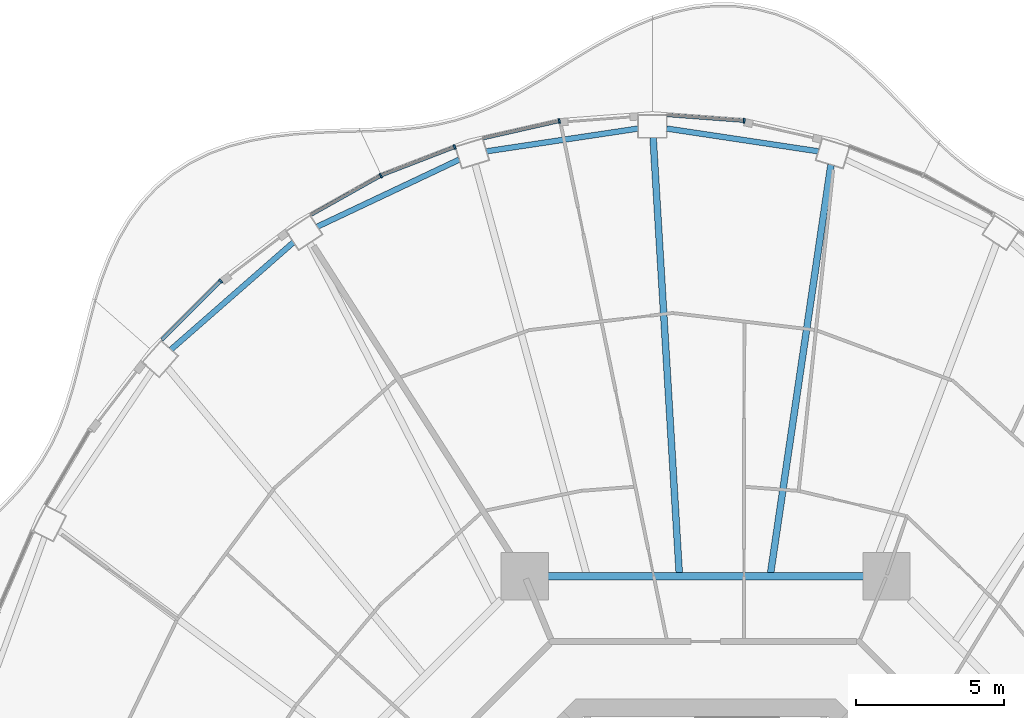
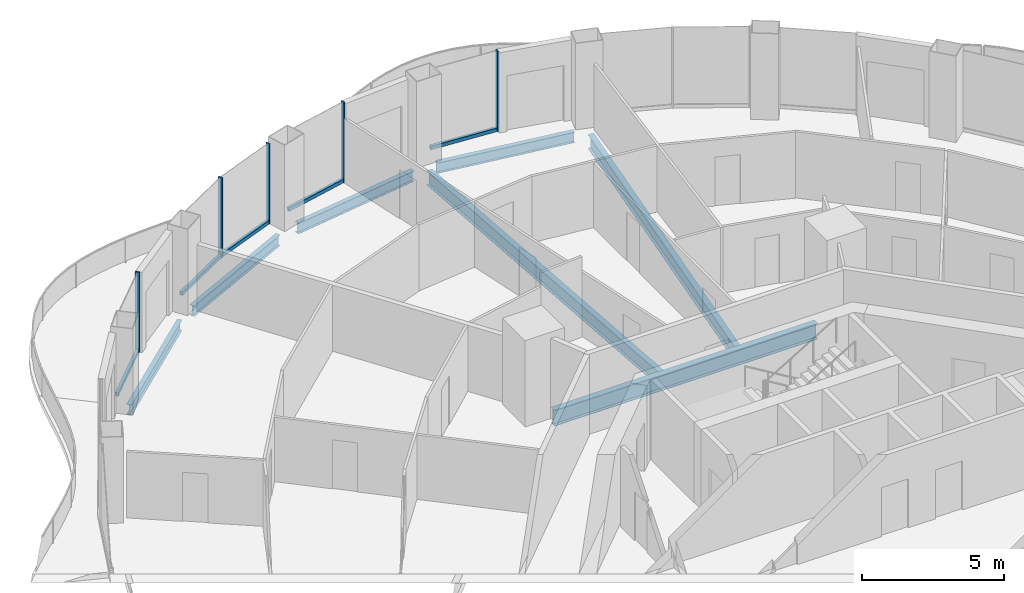
# One storey, part 6 of 18: 10 members, 7 beams, 5 elements without a shape of their own.
"""IFC4 building model written with IfcOpenShell, lengths in metres."""

from ifc_helpers import new_model, si_unit, direction, frame, origin, origin_2d, place, context, subcontext, project, spatial, rectangle, i_section, extrude, material, layer, layer_set, material_profile, profile_set, type_object, element, aggregate, save


model = new_model("IFC4")

# Units and contexts
model_context = context("Model", 3, precision=1e-05, world=origin(), true_north=direction((0.0, 1.0)))
body_context = subcontext(model_context, "Body", "Model", "MODEL_VIEW")
ifc_project = project(units=[si_unit("LENGTHUNIT", "METRE"), si_unit("AREAUNIT", "SQUARE_METRE"), si_unit("VOLUMEUNIT", "CUBIC_METRE"), si_unit("PLANEANGLEUNIT", "RADIAN"), si_unit("MASSUNIT", "GRAM", prefix="KILO")], contexts=[model_context])

# Site, building, storey
site_placement = place(None, origin())
site = spatial("IfcSite", under=ifc_project, at=site_placement, CompositionType="ELEMENT")
building_placement = place(site_placement, origin())
building = spatial("IfcBuilding", under=site, at=building_placement, Name="Nagisa Residences", CompositionType="ELEMENT")
storey_placement = place(building_placement, frame((0.0, 0.0, 238.10009765625)))
storey = spatial("IfcBuildingStorey", under=building, at=storey_placement, Name="L60", CompositionType="ELEMENT", Elevation=238.10009765625)

# Curtain wall, member
ifc_material_1 = material(Name="Concrete-coloured aluminium curtain wall system", Category="concrete")
ifc_layer = layer(ifc_material_1, 0.159912109375)
ifc_layer_set = layer_set([ifc_layer], Name="CW1 CURTAIN WALL")
curtain_wall_type = type_object("IfcCurtainWallType", Name="CW1 CURTAIN WALL", PredefinedType="NOTDEFINED", material=ifc_layer_set)
curtain_wall_1_placement = place(storey_placement, origin())
curtain_wall_1 = element("IfcCurtainWall", 1, at=curtain_wall_1_placement, inside=storey, type_object=curtain_wall_type, Name="cw:CW1:L60:11", PredefinedType="NOTDEFINED")
ifc_material_2 = material(Name="Concrete-coloured aluminium", Category="concrete")
ifc_material_profile_1 = material_profile(ifc_material_2, rectangle(XDim=0.159912109375, YDim=0.06005859375, at=origin_2d()), Name="CW1 MULLION 160x60")
ifc_profile_set_1 = profile_set([ifc_material_profile_1], Name="Concrete-coloured aluminium")
member_type_1 = type_object("IfcMemberType", Name="CW1 MULLION 160x60", PredefinedType="MULLION", material=ifc_profile_set_1)
member_1_placement = place(storey_placement, frame((1.305908203125, 30.19580078125, 0.0), z_axis=(0.0, 0.0, 1.0), x_axis=(-0.074377355493, -0.997230168512, 0.0)))
member_1 = element("IfcMember", 2, at=member_1_placement, type_object=member_type_1, Name="CW1 mullion", PredefinedType="MULLION", context=body_context, shape_type="SweptSolid", body=[
    extrude(rectangle(XDim=0.159912109375, YDim=0.06005859375, at=origin_2d()), origin(), (0.0, 0.0, 1.0), 3.43994140625),
])

curtain_wall_2_placement = place(storey_placement, origin())
curtain_wall_2 = element("IfcCurtainWall", 3, at=curtain_wall_2_placement, inside=storey, type_object=curtain_wall_type, Name="cw:CW1:L60:13", PredefinedType="NOTDEFINED")
member_2_placement = place(storey_placement, frame((-4.953369140625, 30.188720703125, 0.0), z_axis=(0.0, 0.0, 1.0), x_axis=(0.2207639201, -0.975327274089, 0.0)))
member_2 = element("IfcMember", 4, at=member_2_placement, type_object=member_type_1, Name="CW1 mullion", PredefinedType="MULLION", context=body_context, shape_type="SweptSolid", body=[
    extrude(rectangle(XDim=0.159912109375, YDim=0.06005859375, at=origin_2d()), origin(), (0.0, 0.0, 1.0), 3.43994140625),
])

curtain_wall_3_placement = place(storey_placement, origin())
curtain_wall_3 = element("IfcCurtainWall", 5, at=curtain_wall_3_placement, inside=storey, type_object=curtain_wall_type, Name="cw:CW1:L60:14", PredefinedType="NOTDEFINED")
member_3_placement = place(storey_placement, frame((-8.495361328125, 29.308837890625, 0.0), z_axis=(0.0, 0.0, 1.0), x_axis=(0.360327770268, -0.932825759707, 0.0)))
member_3 = element("IfcMember", 6, at=member_3_placement, type_object=member_type_1, Name="CW1 mullion", PredefinedType="MULLION", context=body_context, shape_type="SweptSolid", body=[
    extrude(rectangle(XDim=0.159912109375, YDim=0.06005859375, at=origin_2d()), origin(), (0.0, 0.0, 1.0), 3.43994140625),
])

curtain_wall_4_placement = place(storey_placement, origin())
curtain_wall_4 = element("IfcCurtainWall", 7, at=curtain_wall_4_placement, inside=storey, type_object=curtain_wall_type, Name="cw:CW1:L60:15", PredefinedType="NOTDEFINED")
member_4_placement = place(storey_placement, frame((-10.998291015625, 28.33837890625, 0.0), z_axis=(0.0, 0.0, 1.0), x_axis=(0.489376918501, -0.872072377523, 0.0)))
member_4 = element("IfcMember", 8, at=member_4_placement, type_object=member_type_1, Name="CW1 mullion", PredefinedType="MULLION", context=body_context, shape_type="SweptSolid", body=[
    extrude(rectangle(XDim=0.159912109375, YDim=0.06005859375, at=origin_2d()), origin(), (0.0, 0.0, 1.0), 3.43994140625),
])

curtain_wall_5_placement = place(storey_placement, origin())
curtain_wall_5 = element("IfcCurtainWall", 9, at=curtain_wall_5_placement, inside=storey, type_object=curtain_wall_type, Name="cw:CW1:L60:17", PredefinedType="NOTDEFINED")
member_5_placement = place(storey_placement, frame((-16.417724609375, 24.769775390625, 0.0), z_axis=(0.0, 0.0, 1.0), x_axis=(0.706376885714, -0.707835924016, 0.0)))
member_5 = element("IfcMember", 10, at=member_5_placement, type_object=member_type_1, Name="CW1 mullion", PredefinedType="MULLION", context=body_context, shape_type="SweptSolid", body=[
    extrude(rectangle(XDim=0.159912109375, YDim=0.06005859375, at=origin_2d()), origin(), (0.0, 0.0, 1.0), 3.43994140625),
])

# Member
ifc_material_3 = material(Name="Concrete-coloured aluminium", Category="concrete")
ifc_material_profile_2 = material_profile(ifc_material_3, rectangle(XDim=0.1201171875, YDim=0.14990234375, at=origin_2d()), Name="CW1 TRANSOM 120x150")
ifc_profile_set_2 = profile_set([ifc_material_profile_2], Name="Concrete-coloured aluminium")
member_type_2 = type_object("IfcMemberType", Name="CW1 TRANSOM 120x150", PredefinedType="USERDEFINED", material=ifc_profile_set_2)
member_6_placement = place(storey_placement, frame((1.335693359375, 30.193603515625, 0.074951171875), z_axis=(-0.997233213085, 0.074336523458, 0.0), x_axis=(-0.074336523458, -0.997233213085, 0.0)))
member_6 = element("IfcMember", 11, at=member_6_placement, type_object=member_type_2, Name="CW1 transom", ObjectType="TRANSOM", PredefinedType="USERDEFINED", context=body_context, shape_type="SweptSolid", body=[
    extrude(rectangle(XDim=0.1201171875, YDim=0.14990234375, at=origin_2d()), origin(), (0.0, 0.0, 1.0), 2.650390625),
])

aggregate(curtain_wall_1, [member_1, member_6])

member_7_placement = place(storey_placement, frame((-4.924072265625, 30.1953125, 0.074951171875), z_axis=(-0.975324089124, -0.220777990694, 0.0), x_axis=(0.220777990694, -0.975324089124, 0.0)))
member_7 = element("IfcMember", 12, at=member_7_placement, type_object=member_type_2, Name="CW1 transom", ObjectType="TRANSOM", PredefinedType="USERDEFINED", context=body_context, shape_type="SweptSolid", body=[
    extrude(rectangle(XDim=0.1201171875, YDim=0.14990234375, at=origin_2d()), origin(), (0.0, 0.0, 1.0), 2.666015625),
])

aggregate(curtain_wall_2, [member_2, member_7])

member_8_placement = place(storey_placement, frame((-8.46728515625, 29.319580078125, 0.074951171875), z_axis=(-0.932838255163, -0.360295420044, 0.0), x_axis=(0.360295420044, -0.932838255163, 0.0)))
member_8 = element("IfcMember", 13, at=member_8_placement, type_object=member_type_2, Name="CW1 transom", ObjectType="TRANSOM", PredefinedType="USERDEFINED", context=body_context, shape_type="SweptSolid", body=[
    extrude(rectangle(XDim=0.1201171875, YDim=0.14990234375, at=origin_2d()), origin(), (0.0, 0.0, 1.0), 2.6962890625),
])

aggregate(curtain_wall_3, [member_3, member_8])

member_9_placement = place(storey_placement, frame((-10.971923828125, 28.35302734375, 0.074951171875), z_axis=(-0.872063230277, -0.489393218586, 0.0), x_axis=(0.489393218586, -0.872063230277, 0.0)))
member_9 = element("IfcMember", 14, at=member_9_placement, type_object=member_type_2, Name="CW1 transom", ObjectType="TRANSOM", PredefinedType="USERDEFINED", context=body_context, shape_type="SweptSolid", body=[
    extrude(rectangle(XDim=0.1201171875, YDim=0.14990234375, at=origin_2d()), origin(), (0.0, 0.0, 1.0), 2.73828125),
])

aggregate(curtain_wall_4, [member_4, member_9])

member_10_placement = place(storey_placement, frame((-16.396484375, 24.791015625, 0.074951171875), z_axis=(-0.707836044127, -0.706376765356, 0.0), x_axis=(0.706376765356, -0.707836044127, 0.0)))
member_10 = element("IfcMember", 15, at=member_10_placement, type_object=member_type_2, Name="CW1 transom", ObjectType="TRANSOM", PredefinedType="USERDEFINED", context=body_context, shape_type="SweptSolid", body=[
    extrude(rectangle(XDim=0.1201171875, YDim=0.14990234375, at=origin_2d()), origin(), (0.0, 0.0, 1.0), 2.84423828125),
])

aggregate(curtain_wall_5, [member_5, member_10])

# Beams
ifc_material_4 = material(Name="Steel ASTM A572 Gr 50", Category="steel")
ifc_material_profile_3 = material_profile(ifc_material_4, i_section(OverallWidth=0.2529296875, OverallDepth=0.677978515625, WebThickness=0.01171875, FlangeThickness=0.016357421875, at=origin_2d()), Name="W690x125")
ifc_profile_set_3 = profile_set([ifc_material_profile_3], Name="Steel ASTM A572 Gr 50")
beam_type_1 = type_object("IfcBeamType", Name="Inner ring beam W690x125", PredefinedType="BEAM", material=ifc_profile_set_3)
beam_1_placement = place(storey_placement, frame((5.343017578125, 14.781982421875, -0.59912109375), z_axis=(-1.0, 0.0, 0.0), x_axis=(0.0, -1.0, 0.0)))
element("IfcBeam", 16, at=beam_1_placement, inside=storey, type_object=beam_type_1, Name="beam:L60:ib2", PredefinedType="BEAM", context=body_context, shape_type="SweptSolid", body=[
    extrude(i_section(OverallWidth=0.2529296875, OverallDepth=0.677978515625, WebThickness=0.01171875, FlangeThickness=0.016357421875, at=origin_2d()), origin(), (0.0, 0.0, 1.0), 10.68603515625),
])
ifc_material_5 = material(Name="Steel ASTM A572 Gr 50", Category="steel")
ifc_material_profile_4 = material_profile(ifc_material_5, i_section(OverallWidth=0.18994140625, OverallDepth=0.45703125, WebThickness=0.009033203125, FlangeThickness=0.014404296875, at=origin_2d()), Name="W460x74")
ifc_profile_set_4 = profile_set([ifc_material_profile_4], Name="Steel ASTM A572 Gr 50")
beam_type_2 = type_object("IfcBeamType", Name="Perimeter ring beam W460x74", PredefinedType="BEAM", material=ifc_profile_set_4)
for number, where, z_axis, x_axis, name in (
    (17, (3.8203125, 29.16357421875, -0.488525390625), (-0.988909463745, 0.148519603133, 0.0), (-0.148519603133, -0.988909463745, 0.0), "beam:L60:pb06"),
    (18, (-2.2802734375, 29.935546875, -0.488525390625), (-0.988909463745, -0.148519603133, 0.0), (0.148519603133, -0.988909463745, 0.0), "beam:L60:pb07"),
):
    element("IfcBeam", number, at=place(storey_placement, frame(where, z_axis=z_axis, x_axis=x_axis)), inside=storey, type_object=beam_type_2, Name=name, PredefinedType="BEAM", context=body_context, shape_type="SweptSolid", body=[
        extrude(i_section(OverallWidth=0.18994140625, OverallDepth=0.45703125, WebThickness=0.009033203125, FlangeThickness=0.014404296875, at=origin_2d()), origin(), (0.0, 0.0, 1.0), 5.19775390625),
    ])
beam_2_placement = place(storey_placement, frame((-8.339111328125, 28.884033203125, -0.488525390625), z_axis=(-0.904133867308, -0.42724928319, 0.0), x_axis=(0.42724928319, -0.904133867308, 0.0)))
element("IfcBeam", 19, at=beam_2_placement, inside=storey, type_object=beam_type_2, Name="beam:L60:pb08", PredefinedType="BEAM", context=body_context, shape_type="SweptSolid", body=[
    extrude(i_section(OverallWidth=0.18994140625, OverallDepth=0.45703125, WebThickness=0.009033203125, FlangeThickness=0.014404296875, at=origin_2d()), origin(), (0.0, 0.0, 1.0), 5.317138671875),
])
beam_3_placement = place(storey_placement, frame((-13.94970703125, 26.085693359375, -0.488525390625), z_axis=(-0.75242320672, -0.65867998147, 0.0), x_axis=(0.65867998147, -0.75242320672, 0.0)))
element("IfcBeam", 20, at=beam_3_placement, inside=storey, type_object=beam_type_2, Name="beam:L60:pb09", PredefinedType="BEAM", context=body_context, shape_type="SweptSolid", body=[
    extrude(i_section(OverallWidth=0.18994140625, OverallDepth=0.45703125, WebThickness=0.009033203125, FlangeThickness=0.014404296875, at=origin_2d()), origin(), (0.0, 0.0, 1.0), 5.5185546875),
])
ifc_material_6 = material(Name="Steel ASTM A572 Gr 50", Category="steel")
ifc_material_profile_5 = material_profile(ifc_material_6, i_section(OverallWidth=0.22802734375, OverallDepth=0.60302734375, WebThickness=0.010498046875, FlangeThickness=0.014892578125, at=origin_2d()), Name="W610x101")
ifc_profile_set_5 = profile_set([ifc_material_profile_5], Name="Steel ASTM A572 Gr 50")
beam_type_3 = type_object("IfcBeamType", Name="Radial beam W610x101", PredefinedType="BEAM", material=ifc_profile_set_5)
beam_4_placement = place(storey_placement, frame((4.244140625, 28.711181640625, -0.5615234375), z_axis=(-0.146228868188, -0.989250786256, 0.0), x_axis=(0.989250786256, -0.146228868188, 0.0)))
element("IfcBeam", 21, at=beam_4_placement, inside=storey, type_object=beam_type_3, Name="beam:L60:rb06", PredefinedType="BEAM", context=body_context, shape_type="SweptSolid", body=[
    extrude(i_section(OverallWidth=0.22802734375, OverallDepth=0.60302734375, WebThickness=0.010498046875, FlangeThickness=0.014892578125, at=origin_2d()), origin(), (0.0, 0.0, 1.0), 13.97265625),
])
beam_5_placement = place(storey_placement, frame((-1.777099609375, 29.627685546875, -0.5615234375), z_axis=(0.059871531939, -0.998206090776, 0.0), x_axis=(0.998206090776, 0.059871531939, 0.0)))
element("IfcBeam", 22, at=beam_5_placement, inside=storey, type_object=beam_type_3, Name="beam:L60:rb07", PredefinedType="BEAM", context=body_context, shape_type="SweptSolid", body=[
    extrude(i_section(OverallWidth=0.22802734375, OverallDepth=0.60302734375, WebThickness=0.010498046875, FlangeThickness=0.014892578125, at=origin_2d()), origin(), (0.0, 0.0, 1.0), 14.765380859375),
])

save(model, "model.ifc")
